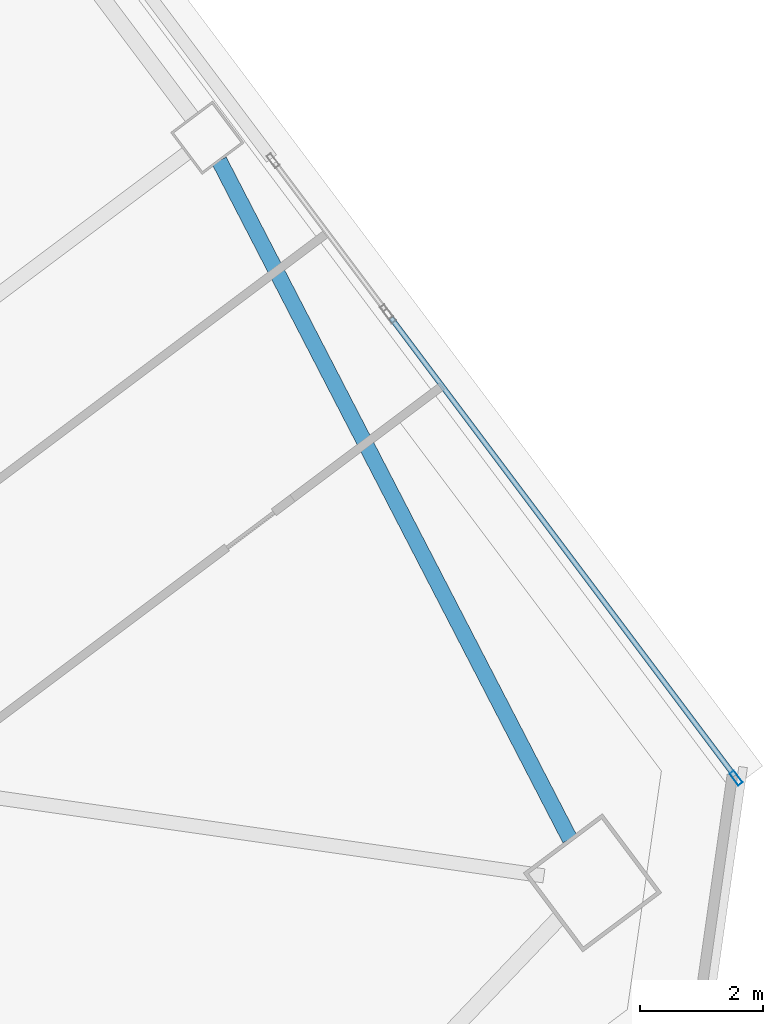
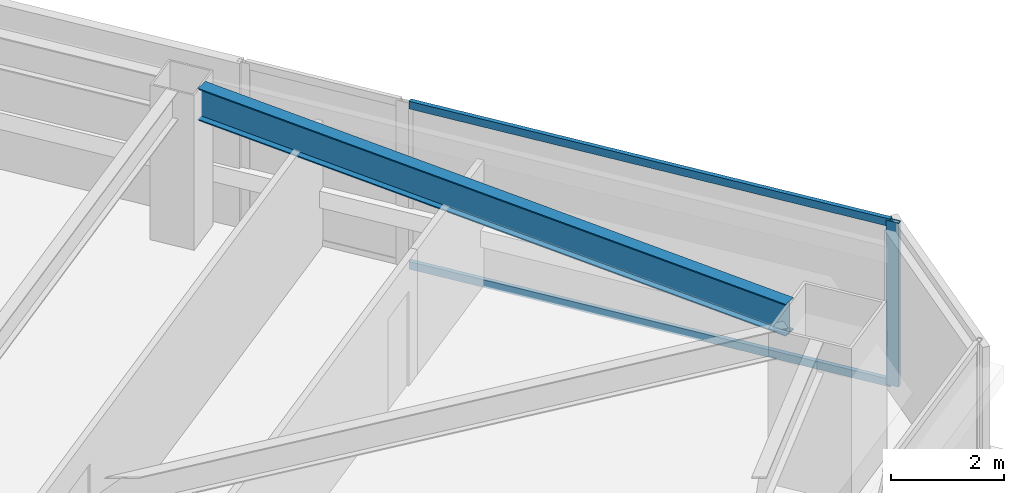
# One storey, part 25 of 46: 3 members, 1 beam, 1 element without a shape of its own.
"""IFC4 building model written with IfcOpenShell, lengths in metres."""

import ifcopenshell
import ifcopenshell.guid

model = None  # the IFC model being written
_history = None  # IfcOwnerHistory: only IFC2X3 demands one
_inside = {}  # id of a spatial element -> (the spatial element, [elements in it])
_under = {}  # id of a project, library or spatial element -> (it, [spatial elements below it])
_declared = {}  # id of a project -> (the project, [libraries it declares])
_typed = {}  # id of a type object -> (the type object, [elements of that type])
_made_of = {}  # id of a material, layer set ... -> (it, [elements and type objects made of it])


def new_model(schema):
    """Start an empty IFC model of exactly this schema.

    Asked for "IFC4X3", IfcOpenShell would pick the latest addendum, in which some entities
    have other attributes; the version numbers below select the first issue.
    IFC2X3 requires an IfcOwnerHistory on every rooted entity: one is made here for all.
    """
    global model, _history
    if schema == "IFC4X3":
        model = ifcopenshell.file(schema_version=(4, 3, 0, 0))
    else:
        model = ifcopenshell.file(schema=schema)
    _inside.clear()
    _under.clear()
    _declared.clear()
    _typed.clear()
    _made_of.clear()
    _history = None
    if model.schema == "IFC2X3":
        org = make("IfcOrganization", Name="unknown")
        user = make(
            "IfcPersonAndOrganization",
            ThePerson=make("IfcPerson", FamilyName="unknown"),
            TheOrganization=org,
        )
        app = make(
            "IfcApplication",
            ApplicationDeveloper=org,
            Version="unknown",
            ApplicationFullName="unknown",
            ApplicationIdentifier="unknown",
        )
        _history = make(
            "IfcOwnerHistory",
            OwningUser=user,
            OwningApplication=app,
            ChangeAction="ADDED",
            CreationDate=0,
        )
    return model


def make(cls, **values):
    """One entity of the class cls with the attributes given. An attribute that is None is left unset."""
    return model.create_entity(
        cls, **{name: value for name, value in values.items() if value is not None}
    )


def rooted(cls, **values):
    """An entity with a GlobalId (a new one), such as an element, a storey or a relation."""
    return make(cls, GlobalId=ifcopenshell.guid.new(), OwnerHistory=_history, **values)


def si_unit(unit_type, name, prefix=None):
    """IfcSIUnit, for example si_unit("LENGTHUNIT", "METRE", prefix="MILLI")."""
    return make("IfcSIUnit", UnitType=unit_type, Prefix=prefix, Name=name)


def assignment(units):
    """IfcUnitAssignment: the units of a project."""
    return None if units is None else make("IfcUnitAssignment", Units=units)


def point(xyz):
    """IfcCartesianPoint."""
    return None if xyz is None else make("IfcCartesianPoint", Coordinates=xyz)


def direction(xyz):
    """IfcDirection."""
    return None if xyz is None else make("IfcDirection", DirectionRatios=xyz)


def frame(location, z_axis=None, x_axis=None):
    """IfcAxis2Placement3D, a coordinate frame: its origin and axes. An axis left out is left unset."""
    return make(
        "IfcAxis2Placement3D",
        Location=point(location),
        Axis=direction(z_axis),
        RefDirection=direction(x_axis),
    )


def frame_2d(location, x_axis=None):
    """IfcAxis2Placement2D, a coordinate frame in the plane: its origin and x axis."""
    return make(
        "IfcAxis2Placement2D", Location=point(location), RefDirection=direction(x_axis)
    )


def origin():
    """The frame at (0, 0, 0) with its axes left unset."""
    return frame((0.0, 0.0, 0.0))


def origin_2d():
    """The frame at (0, 0) in the plane with its x axis left unset."""
    return frame_2d((0.0, 0.0))


def place(relative_to, where):
    """IfcLocalPlacement: puts the frame where relative to a parent placement (None: the world)."""
    return make(
        "IfcLocalPlacement", PlacementRelTo=relative_to, RelativePlacement=where
    )


def context(
    kind, dimensions, precision=None, world=None, true_north=None, identifier=None
):
    """IfcGeometricRepresentationContext, for example the 3D "Model" context."""
    return make(
        "IfcGeometricRepresentationContext",
        ContextIdentifier=identifier,
        ContextType=kind,
        CoordinateSpaceDimension=dimensions,
        Precision=precision,
        WorldCoordinateSystem=world,
        TrueNorth=true_north,
    )


def subcontext(parent, identifier, kind, view, scale=None):
    """IfcGeometricRepresentationSubContext, for example "Body" below "Model"."""
    return make(
        "IfcGeometricRepresentationSubContext",
        ContextIdentifier=identifier,
        ContextType=kind,
        ParentContext=parent,
        TargetScale=scale,
        TargetView=view,
    )


def project(units=None, contexts=None):
    """IfcProject with its units and contexts."""
    return rooted(
        "IfcProject",
        Name="project",
        RepresentationContexts=contexts,
        UnitsInContext=assignment(units),
    )


def spatial(cls, under=None, at=None, **own):
    """A site, building, storey or space (cls), placed at a placement, below another one or the project."""
    s = rooted(cls, ObjectPlacement=at, **own)
    if under is not None:
        _under.setdefault(under.id(), (under, []))[1].append(s)
    return s


def profile(cls, at=None, kind="AREA", **sizes):
    """A parametric profile (cls). Its sizes go by their IFC names, for example OverallWidth=200.0."""
    return make(cls, ProfileType=kind, Position=at, **sizes)


def hollow_rectangle(**sizes):
    """IfcRectangleHollowProfileDef."""
    return profile("IfcRectangleHollowProfileDef", **sizes)


def i_section(**sizes):
    """IfcIShapeProfileDef."""
    return profile("IfcIShapeProfileDef", **sizes)


def extrude(swept, where, along, depth):
    """IfcExtrudedAreaSolid: the profile swept, set in the frame where, extruded along a direction by depth."""
    return make(
        "IfcExtrudedAreaSolid",
        SweptArea=swept,
        Position=where,
        ExtrudedDirection=direction(along),
        Depth=depth,
    )


def shape(context_of_items, identifier, shape_type, items):
    """IfcShapeRepresentation: the items that make up one representation, for example the "Body"."""
    return make(
        "IfcShapeRepresentation",
        ContextOfItems=context_of_items,
        RepresentationIdentifier=identifier,
        RepresentationType=shape_type,
        Items=items,
    )


def material(Name=None, Category=None):
    """IfcMaterial."""
    return make("IfcMaterial", Name=Name, Category=Category)


def material_profile(
    of_material, cross_section, Name=None, Category=None, Priority=None
):
    """IfcMaterialProfile: a cross section and its material."""
    return make(
        "IfcMaterialProfile",
        Name=Name,
        Material=of_material,
        Profile=cross_section,
        Priority=Priority,
        Category=Category,
    )


def profile_set(profiles, Name=None, composite=None):
    """IfcMaterialProfileSet."""
    return make(
        "IfcMaterialProfileSet",
        Name=Name,
        MaterialProfiles=profiles,
        CompositeProfile=composite,
    )


def made_of(thing, what):
    """Note that an element or type object is made of a material, layer set ...; save() writes the relation."""
    if what is not None:
        _made_of.setdefault(what.id(), (what, []))[1].append(thing)
    return thing


def type_object(cls, material=None, **own):
    """A type object (cls), such as IfcWallType, which elements share."""
    return made_of(rooted(cls, **own), material)


def element(
    cls,
    number,
    at=None,
    inside=None,
    cuts=None,
    type_object=None,
    material=None,
    context=None,
    identifier="Body",
    shape_type=None,
    held_by="IfcProductDefinitionShape",
    body=None,
    shapes=None,
    **own,
):
    """One element of the class cls, such as IfcWall. Its Tag is "e" and its number.

    at: its placement. inside: the storey or other place that contains it. cuts: it is an
    opening in that element (IfcRelVoidsElement). A single representation is given by context,
    identifier, shape_type and body (its items); several are given by shapes. held_by: the class
    of the entity that holds the representations. save() writes the other relations.
    """
    e = rooted(cls, Tag="e%d" % number, ObjectPlacement=at, **own)
    if body is not None:
        shapes = [shape(context, identifier, shape_type, body)]
    if shapes is not None:
        e.Representation = make(held_by, Representations=shapes)
    if inside is not None:
        _inside.setdefault(inside.id(), (inside, []))[1].append(e)
    if cuts is not None:
        rooted(
            "IfcRelVoidsElement", RelatingBuildingElement=cuts, RelatedOpeningElement=e
        )
    if type_object is not None:
        _typed.setdefault(type_object.id(), (type_object, []))[1].append(e)
    return made_of(e, material)


def aggregate(whole, parts):
    """IfcRelAggregates: a whole, such as a stair, and the parts it consists of."""
    return rooted("IfcRelAggregates", RelatingObject=whole, RelatedObjects=parts)


def save(model, path):
    """Write the relations noted so far, then the file.

    IfcRelAggregates (storeys below a building ...), IfcRelContainedInSpatialStructure (elements
    in a storey), IfcRelDefinesByType, IfcRelAssociatesMaterial and IfcRelDeclares: one each for
    every whole, place, type object, material and project.
    """
    for whole, parts in _under.values():
        aggregate(whole, parts)
    for where, things in _inside.values():
        rooted(
            "IfcRelContainedInSpatialStructure",
            RelatedElements=things,
            RelatingStructure=where,
        )
    for kind, things in _typed.values():
        rooted("IfcRelDefinesByType", RelatedObjects=things, RelatingType=kind)
    for what, things in _made_of.values():
        rooted("IfcRelAssociatesMaterial", RelatedObjects=things, RelatingMaterial=what)
    for by, libraries in _declared.values():
        rooted("IfcRelDeclares", RelatingContext=by, RelatedDefinitions=libraries)
    model.write(path)


model = new_model("IFC4")

# Units and contexts
model_context = context("Model", 3, precision=1e-05, world=origin(), true_north=direction((0.0, 1.0)))
body_context = subcontext(model_context, "Body", "Model", "MODEL_VIEW")
ifc_project = project(units=[si_unit("LENGTHUNIT", "METRE"), si_unit("AREAUNIT", "SQUARE_METRE"), si_unit("VOLUMEUNIT", "CUBIC_METRE"), si_unit("PLANEANGLEUNIT", "RADIAN"), si_unit("MASSUNIT", "GRAM", prefix="KILO")], contexts=[model_context])

# Site, building, storey
site_placement = place(None, origin())
site = spatial("IfcSite", under=ifc_project, at=site_placement, CompositionType="ELEMENT")
building_placement = place(site_placement, origin())
building = spatial("IfcBuilding", under=site, at=building_placement, Name="Tashvorn Skyway Center", CompositionType="ELEMENT")
storey_placement = place(building_placement, frame((0.0, 0.0, 31.699951171875)))
storey = spatial("IfcBuildingStorey", under=building, at=storey_placement, Name="L07", CompositionType="ELEMENT", Elevation=31.699951171875)

# Beam
ifc_material_1 = material(Name="Steel ASTM A992 Grade 50", Category="steel")
ifc_material_profile_1 = material_profile(ifc_material_1, i_section(OverallWidth=0.256103515625, OverallDepth=0.693115234375, WebThickness=0.014404296875, FlangeThickness=0.023681640625, at=origin_2d()), Name="W27X114")
ifc_profile_set_1 = profile_set([ifc_material_profile_1], Name="Steel ASTM A992 Grade 50")
beam_type = type_object("IfcBeamType", Name="BM-SPANDREL-W27X114", PredefinedType="SPANDREL", material=ifc_profile_set_1)
beam_placement = place(storey_placement, frame((139.954833984375, 28.9462890625, 3.003662109375), z_axis=(-0.459233413919, 0.888315637339, 0.0), x_axis=(-0.888315637339, -0.459233413919, 0.0)))
element("IfcBeam", 1, at=beam_placement, inside=storey, type_object=beam_type, Name="Tower 2 L07 Spandrel Beam 04", PredefinedType="SPANDREL", context=body_context, shape_type="SweptSolid", body=[
    extrude(i_section(OverallWidth=0.256103515625, OverallDepth=0.693115234375, WebThickness=0.014404296875, FlangeThickness=0.023681640625, at=origin_2d()), origin(), (0.0, 0.0, 1.0), 12.37255859375),
])

# Curtain wall, members
ifc_material_2 = material(Name="Thermally broken bronze-anodized aluminium 6063-T6", Category="aluminium")
curtain_wall_type = type_object("IfcCurtainWallType", Name="CW-CW-Z1", PredefinedType="NOTDEFINED", material=ifc_material_2)
curtain_wall_placement = place(storey_placement, origin())
curtain_wall = element("IfcCurtainWall", 2, at=curtain_wall_placement, inside=storey, type_object=curtain_wall_type, Name="Tower 2 L07 East Unitised Curtain Wall Glazing Group 4", PredefinedType="NOTDEFINED")
ifc_material_profile_2 = material_profile(ifc_material_2, hollow_rectangle(XDim=0.0849609375, YDim=0.239990234375, WallThickness=0.0048828125, at=origin_2d()), Name="ALU-MULL-85x240")
ifc_profile_set_2 = profile_set([ifc_material_profile_2], Name="Thermally broken bronze-anodized aluminium 6063-T6")
member_type_1 = type_object("IfcMemberType", Name="CWM-CW-Z1", PredefinedType="MULLION", material=ifc_profile_set_2)
member_1_placement = place(storey_placement, frame((142.646484375, 29.93798828125, 0.0), z_axis=(0.0, 0.0, 1.0), x_axis=(0.799999999998, 0.600000000002, 0.0)))
member_1 = element("IfcMember", 3, at=member_1_placement, type_object=member_type_1, Name="CW-Z1 mullion 2", PredefinedType="MULLION", context=body_context, shape_type="SweptSolid", body=[
    extrude(hollow_rectangle(XDim=0.0849609375, YDim=0.239990234375, WallThickness=0.0048828125, at=origin_2d()), origin(), (0.0, 0.0, 1.0), 3.550048828125),
])
ifc_material_profile_3 = material_profile(ifc_material_2, hollow_rectangle(XDim=0.0849609375, YDim=0.1650390625, WallThickness=0.0048828125, at=origin_2d()), Name="ALU-TRAN-85x165")
ifc_profile_set_3 = profile_set([ifc_material_profile_3], Name="Thermally broken bronze-anodized aluminium 6063-T6")
member_type_2 = type_object("IfcMemberType", Name="CWT-CW-Z1", PredefinedType="USERDEFINED", material=ifc_profile_set_3)
member_2_placement = place(storey_placement, frame((137.05908203125, 37.387939453125, 0.04248046875), z_axis=(0.6, -0.8, 0.0), x_axis=(0.8, 0.6, 0.0)))
member_2 = element("IfcMember", 4, at=member_2_placement, type_object=member_type_2, Name="CW-Z1 transom 1.1", ObjectType="TRANSOM", PredefinedType="USERDEFINED", context=body_context, shape_type="SweptSolid", body=[
    extrude(hollow_rectangle(XDim=0.0849609375, YDim=0.1650390625, WallThickness=0.0048828125, at=origin_2d()), origin(), (0.0, 0.0, 1.0), 9.27001953125),
])
member_3_placement = place(storey_placement, frame((137.05908203125, 37.387939453125, 3.507568359375), z_axis=(0.6, -0.8, 0.0), x_axis=(0.8, 0.6, 0.0)))
member_3 = element("IfcMember", 5, at=member_3_placement, type_object=member_type_2, Name="CW-Z1 transom 1.2", ObjectType="TRANSOM", PredefinedType="USERDEFINED", context=body_context, shape_type="SweptSolid", body=[
    extrude(hollow_rectangle(XDim=0.0849609375, YDim=0.1650390625, WallThickness=0.0048828125, at=origin_2d()), origin(), (0.0, 0.0, 1.0), 9.27001953125),
])
aggregate(curtain_wall, [member_1, member_2, member_3])

save(model, "model.ifc")
